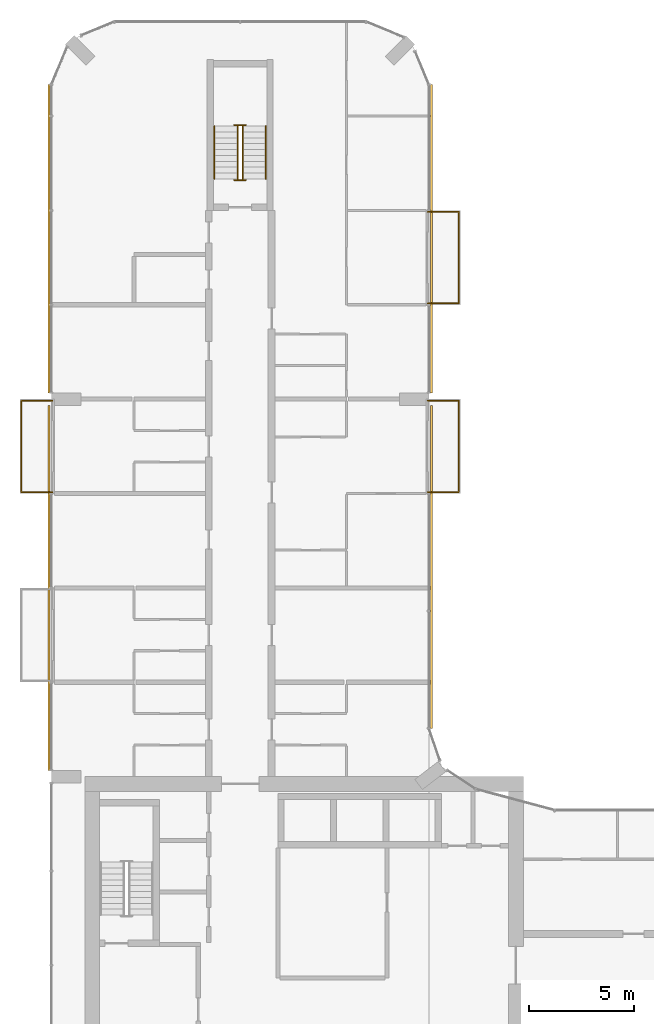
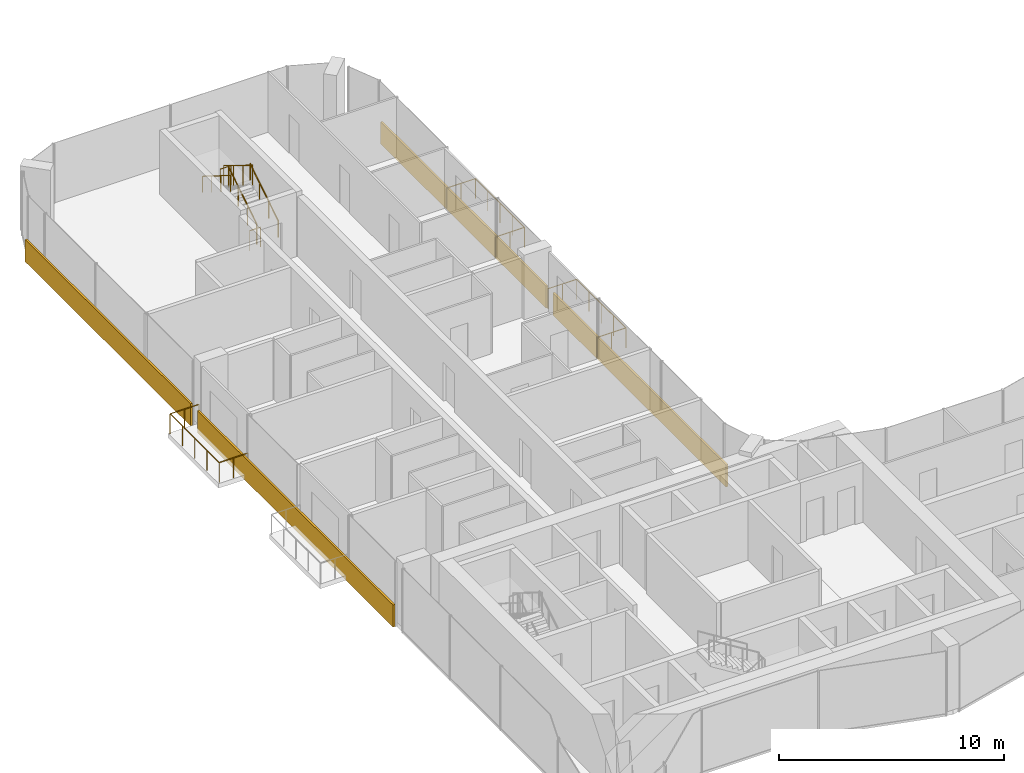
# One storey, part 22 of 23: 9 railings, 4 coverings.
"""IFC4 building model written with IfcOpenShell, lengths in metres."""

from ifc_helpers import new_model, si_unit, direction, frame, origin, origin_2d, place, context, subcontext, project, spatial, rectangle, circle, extrude, material, layer, layer_set, type_object, element, save


model = new_model("IFC4")

# Units and contexts
model_context = context("Model", 3, precision=1e-05, world=origin(), true_north=direction((0.0, 1.0)))
body_context = subcontext(model_context, "Body", "Model", "MODEL_VIEW")
ifc_project = project(units=[si_unit("LENGTHUNIT", "METRE"), si_unit("AREAUNIT", "SQUARE_METRE"), si_unit("VOLUMEUNIT", "CUBIC_METRE"), si_unit("PLANEANGLEUNIT", "RADIAN"), si_unit("MASSUNIT", "GRAM", prefix="KILO")], contexts=[model_context])

# Site, building, storey
site_placement = place(None, origin())
site = spatial("IfcSite", under=ifc_project, at=site_placement, CompositionType="ELEMENT")
building_placement = place(site_placement, origin())
building = spatial("IfcBuilding", under=site, at=building_placement, Name="Plateau Cross Towers", CompositionType="ELEMENT")
storey_placement = place(building_placement, frame((0.0, 0.0, 88.800048828125)))
storey = spatial("IfcBuildingStorey", under=building, at=storey_placement, Name="L22", CompositionType="ELEMENT", Elevation=88.800048828125)

# Railings
ifc_material_1 = material(Name="Stainless steel and toughened glass", Category="steel")
railing_type_1 = type_object("IfcRailingType", Name="Glass balustrade guard 1100", PredefinedType="GUARDRAIL", material=ifc_material_1)
railing_1_placement = place(storey_placement, frame((0.050048828125, 31.570068359375, 0.0)))
element("IfcRailing", 1, at=railing_1_placement, inside=storey, type_object=railing_type_1, Name="Guard guard1", PredefinedType="GUARDRAIL", context=body_context, shape_type="SweptSolid", body=[
    extrude(circle(Radius=0.02392578125, at=origin_2d()), frame((0.0, 0.0, 1.076171875), z_axis=(-1.0, 0.0, 0.0), x_axis=(0.0, -1.0, 0.0)), (0.0, 0.0, 1.0), 1.47998046875),
    extrude(circle(Radius=0.02392578125, at=origin_2d()), frame((-1.47998046875, 0.0, 1.076171875), z_axis=(0.0, 1.0, 0.0), x_axis=(-1.0, 0.0, 0.0)), (0.0, 0.0, 1.0), 4.35986328125),
    extrude(circle(Radius=0.02392578125, at=origin_2d()), frame((-1.47998046875, 4.35986328125, 1.076171875), z_axis=(1.0, 0.0, 0.0), x_axis=(0.0, 1.0, 0.0)), (0.0, 0.0, 1.0), 1.47998046875),
    extrude(circle(Radius=0.02099609375, at=origin_2d()), origin(), (0.0, 0.0, 1.0), 1.052001953125),
    extrude(circle(Radius=0.02099609375, at=origin_2d()), frame((-0.739990234375, 0.0, 0.0)), (0.0, 0.0, 1.0), 1.052001953125),
    extrude(circle(Radius=0.02099609375, at=origin_2d()), frame((-1.47998046875, 0.0, 0.0)), (0.0, 0.0, 1.0), 1.052001953125),
    extrude(circle(Radius=0.02099609375, at=origin_2d()), frame((-1.47998046875, 1.08984375, 0.0)), (0.0, 0.0, 1.0), 1.052001953125),
    extrude(circle(Radius=0.02099609375, at=origin_2d()), frame((-1.47998046875, 2.179931640625, 0.0)), (0.0, 0.0, 1.0), 1.052001953125),
    extrude(circle(Radius=0.02099609375, at=origin_2d()), frame((-1.47998046875, 3.27001953125, 0.0)), (0.0, 0.0, 1.0), 1.052001953125),
    extrude(circle(Radius=0.02099609375, at=origin_2d()), frame((-1.47998046875, 4.35986328125, 0.0)), (0.0, 0.0, 1.0), 1.052001953125),
    extrude(circle(Radius=0.02099609375, at=origin_2d()), frame((-0.739990234375, 4.35986328125, 0.0)), (0.0, 0.0, 1.0), 1.052001953125),
    extrude(circle(Radius=0.02099609375, at=origin_2d()), frame((0.0, 4.35986328125, 0.0)), (0.0, 0.0, 1.0), 1.052001953125),
])
for number, where, name in (
    (2, (17.949951171875, 35.929931640625, 0.0), "Guard guard1"),
    (3, (17.949951171875, 44.929931640625, 0.0), "Guard guard1"),
):
    element("IfcRailing", number, at=place(storey_placement, frame(where)), inside=storey, type_object=railing_type_1, Name=name, PredefinedType="GUARDRAIL", context=body_context, shape_type="SweptSolid", body=[
        extrude(circle(Radius=0.02392578125, at=origin_2d()), frame((0.0, 0.0, 1.076171875), z_axis=(1.0, 0.0, 0.0), x_axis=(0.0, 1.0, 0.0)), (0.0, 0.0, 1.0), 1.47998046875),
        extrude(circle(Radius=0.02392578125, at=origin_2d()), frame((1.47998046875, 0.0, 1.076171875), z_axis=(0.0, -1.0, 0.0), x_axis=(1.0, 0.0, 0.0)), (0.0, 0.0, 1.0), 4.35986328125),
        extrude(circle(Radius=0.02392578125, at=origin_2d()), frame((1.47998046875, -4.35986328125, 1.076171875), z_axis=(-1.0, 0.0, 0.0), x_axis=(0.0, -1.0, 0.0)), (0.0, 0.0, 1.0), 1.47998046875),
        extrude(circle(Radius=0.02099609375, at=origin_2d()), origin(), (0.0, 0.0, 1.0), 1.052001953125),
        extrude(circle(Radius=0.02099609375, at=origin_2d()), frame((0.739990234375, 0.0, 0.0)), (0.0, 0.0, 1.0), 1.052001953125),
        extrude(circle(Radius=0.02099609375, at=origin_2d()), frame((1.47998046875, 0.0, 0.0)), (0.0, 0.0, 1.0), 1.052001953125),
        extrude(circle(Radius=0.02099609375, at=origin_2d()), frame((1.47998046875, -1.08984375, 0.0)), (0.0, 0.0, 1.0), 1.052001953125),
        extrude(circle(Radius=0.02099609375, at=origin_2d()), frame((1.47998046875, -2.179931640625, 0.0)), (0.0, 0.0, 1.0), 1.052001953125),
        extrude(circle(Radius=0.02099609375, at=origin_2d()), frame((1.47998046875, -3.27001953125, 0.0)), (0.0, 0.0, 1.0), 1.052001953125),
        extrude(circle(Radius=0.02099609375, at=origin_2d()), frame((1.47998046875, -4.35986328125, 0.0)), (0.0, 0.0, 1.0), 1.052001953125),
        extrude(circle(Radius=0.02099609375, at=origin_2d()), frame((0.739990234375, -4.35986328125, 0.0)), (0.0, 0.0, 1.0), 1.052001953125),
        extrude(circle(Radius=0.02099609375, at=origin_2d()), frame((0.0, -4.35986328125, 0.0)), (0.0, 0.0, 1.0), 1.052001953125),
    ])
railing_type_2 = type_object("IfcRailingType", Name="RL-GUARD-1100", PredefinedType="GUARDRAIL", material=ifc_material_1)
railing_2_placement = place(storey_placement, frame((9.125, 46.5, 0.175048828125)))
element("IfcRailing", 4, at=railing_2_placement, inside=storey, type_object=railing_type_2, Name="L22 ES-N stair guard 1", PredefinedType="GUARDRAIL", context=body_context, shape_type="SweptSolid", body=[
    extrude(circle(Radius=0.02392578125, at=origin_2d()), frame((0.0, 0.0, 1.076171875), z_axis=(0.0, 0.848007534815, 0.529984170421), x_axis=(-1.0, 0.0, 0.0)), (0.0, 0.0, 1.0), 2.9716796875),
    extrude(circle(Radius=0.02099609375, at=origin_2d()), origin(), (0.0, 0.0, 1.0), 1.052001953125),
    extrude(circle(Radius=0.02099609375, at=origin_2d()), frame((0.0, 0.840087890625, 0.52490234375)), (0.0, 0.0, 1.0), 1.052001953125),
    extrude(circle(Radius=0.02099609375, at=origin_2d()), frame((0.0, 1.679931640625, 1.050048828125)), (0.0, 0.0, 1.0), 1.052001953125),
    extrude(circle(Radius=0.02099609375, at=origin_2d()), frame((0.0, 2.52001953125, 1.574951171875)), (0.0, 0.0, 1.0), 1.052001953125),
])
railing_3_placement = place(storey_placement, frame((9.27490234375, 49.070068359375, 1.75)))
element("IfcRailing", 5, at=railing_3_placement, inside=storey, type_object=railing_type_2, Name="L22 ES-N stair guard 2", PredefinedType="GUARDRAIL", context=body_context, shape_type="SweptSolid", body=[
    extrude(circle(Radius=0.02392578125, at=origin_2d()), frame((0.0, 0.0, 1.076171875), z_axis=(-1.0, 0.0, 0.0), x_axis=(0.0, -1.0, 0.0)), (0.0, 0.0, 1.0), 0.5498046875),
    extrude(circle(Radius=0.02099609375, at=origin_2d()), origin(), (0.0, 0.0, 1.0), 1.052001953125),
    extrude(circle(Radius=0.02099609375, at=origin_2d()), frame((-0.5498046875, 0.0, 0.0)), (0.0, 0.0, 1.0), 1.052001953125),
])
railing_4_placement = place(storey_placement, frame((8.875, 49.02001953125, 1.925048828125)))
element("IfcRailing", 6, at=railing_4_placement, inside=storey, type_object=railing_type_2, Name="L22 ES-N stair guard 3", PredefinedType="GUARDRAIL", context=body_context, shape_type="SweptSolid", body=[
    extrude(circle(Radius=0.02392578125, at=origin_2d()), frame((0.0, 0.0, 1.076171875), z_axis=(0.0, -0.852638500773, 0.522501279423), x_axis=(1.0, 0.0, 0.0)), (0.0, 0.0, 1.0), 3.01416015625),
    extrude(circle(Radius=0.02099609375, at=origin_2d()), origin(), (0.0, 0.0, 1.0), 1.052001953125),
    extrude(circle(Radius=0.02099609375, at=origin_2d()), frame((0.0, -0.856689453125, 0.52490234375)), (0.0, 0.0, 1.0), 1.052001953125),
    extrude(circle(Radius=0.02099609375, at=origin_2d()), frame((0.0, -1.71337890625, 1.050048828125)), (0.0, 0.0, 1.0), 1.052001953125),
    extrude(circle(Radius=0.02099609375, at=origin_2d()), frame((0.0, -2.570068359375, 1.574951171875)), (0.0, 0.0, 1.0), 1.052001953125),
])
railing_5_placement = place(storey_placement, frame((9.27490234375, 46.449951171875, 0.0)))
element("IfcRailing", 7, at=railing_5_placement, inside=storey, type_object=railing_type_2, Name="L22 ES-N stair guard 4", PredefinedType="GUARDRAIL", context=body_context, shape_type="SweptSolid", body=[
    extrude(circle(Radius=0.02392578125, at=origin_2d()), frame((0.0, 0.0, 1.076171875), z_axis=(-1.0, 0.0, 0.0), x_axis=(0.0, -1.0, 0.0)), (0.0, 0.0, 1.0), 0.5498046875),
    extrude(circle(Radius=0.02099609375, at=origin_2d()), origin(), (0.0, 0.0, 1.0), 1.052001953125),
    extrude(circle(Radius=0.02099609375, at=origin_2d()), frame((-0.5498046875, 0.0, 0.0)), (0.0, 0.0, 1.0), 1.052001953125),
])
ifc_material_2 = material(Name="Black anodised aluminium", Category="aluminium")
railing_type_3 = type_object("IfcRailingType", Name="RL-HANDRAIL-900", PredefinedType="HANDRAIL", material=ifc_material_2)
railing_6_placement = place(storey_placement, frame((10.22509765625, 46.5, 0.175048828125)))
element("IfcRailing", 8, at=railing_6_placement, inside=storey, type_object=railing_type_3, Name="L22 ES-N stair handrail 1", PredefinedType="HANDRAIL", context=body_context, shape_type="SweptSolid", body=[
    extrude(circle(Radius=0.02392578125, at=origin_2d()), frame((0.0, 0.0, 0.8759765625), z_axis=(0.0, 0.848007534815, 0.529984170421), x_axis=(-1.0, 0.0, 0.0)), (0.0, 0.0, 1.0), 2.9716796875),
    extrude(circle(Radius=0.02099609375, at=origin_2d()), origin(), (0.0, 0.0, 1.0), 0.851806640625),
    extrude(circle(Radius=0.02099609375, at=origin_2d()), frame((0.0, 0.840087890625, 0.52490234375)), (0.0, 0.0, 1.0), 0.851806640625),
    extrude(circle(Radius=0.02099609375, at=origin_2d()), frame((0.0, 1.679931640625, 1.050048828125)), (0.0, 0.0, 1.0), 0.851806640625),
    extrude(circle(Radius=0.02099609375, at=origin_2d()), frame((0.0, 2.52001953125, 1.574951171875)), (0.0, 0.0, 1.0), 0.851806640625),
])
railing_7_placement = place(storey_placement, frame((7.77490234375, 49.02001953125, 1.925048828125)))
element("IfcRailing", 9, at=railing_7_placement, inside=storey, type_object=railing_type_3, Name="L22 ES-N stair handrail 2", PredefinedType="HANDRAIL", context=body_context, shape_type="SweptSolid", body=[
    extrude(circle(Radius=0.02392578125, at=origin_2d()), frame((0.0, 0.0, 0.8759765625), z_axis=(0.0, -0.848007534815, 0.529984170421), x_axis=(1.0, 0.0, 0.0)), (0.0, 0.0, 1.0), 2.9716796875),
    extrude(circle(Radius=0.02099609375, at=origin_2d()), origin(), (0.0, 0.0, 1.0), 0.851806640625),
    extrude(circle(Radius=0.02099609375, at=origin_2d()), frame((0.0, -0.840087890625, 0.52490234375)), (0.0, 0.0, 1.0), 0.851806640625),
    extrude(circle(Radius=0.02099609375, at=origin_2d()), frame((0.0, -1.679931640625, 1.050048828125)), (0.0, 0.0, 1.0), 0.851806640625),
    extrude(circle(Radius=0.02099609375, at=origin_2d()), frame((0.0, -2.52001953125, 1.574951171875)), (0.0, 0.0, 1.0), 0.851806640625),
])

# Coverings
ifc_material_3 = material(Name="Precast concrete cladding C40/50", Category="concrete")
ifc_layer = layer(ifc_material_3, 0.10009765625)
ifc_layer_set = layer_set([ifc_layer], Name="Precast concrete cladding C40/50")
covering_type = type_object("IfcCoveringType", Name="Spandrel band cladding 100x1200", PredefinedType="CLADDING", material=ifc_layer_set)
covering_1_placement = place(storey_placement, frame((18.1201171875, 28.001220703125, -0.25), z_axis=(0.0, 0.0, 1.0), x_axis=(0.0, 1.0, 0.0)))
element("IfcCovering", 10, at=covering_1_placement, inside=storey, type_object=covering_type, Name="Spandrel band", PredefinedType="CLADDING", context=body_context, shape_type="SweptSolid", body=[
    extrude(rectangle(XDim=15.397705078125, YDim=0.10009765625, at=origin_2d()), origin(), (0.0, 0.0, 1.0), 1.199951171875),
])
for number, where, z_axis, x_axis, name in (
    (11, (18.1201171875, 43.64990234375, -0.25), (0.0, 0.0, 1.0), (0.0, 1.0, 0.0), "Spandrel band"),
    (12, (-0.1201171875, 43.64990234375, -0.25), (0.0, 0.0, 1.0), (0.0, -1.0, 0.0), "Spandrel band"),
):
    element("IfcCovering", number, at=place(storey_placement, frame(where, z_axis=z_axis, x_axis=x_axis)), inside=storey, type_object=covering_type, Name=name, PredefinedType="CLADDING", context=body_context, shape_type="SweptSolid", body=[
        extrude(rectangle(XDim=14.699951171875, YDim=0.10009765625, at=origin_2d()), origin(), (0.0, 0.0, 1.0), 1.199951171875),
    ])
covering_2_placement = place(storey_placement, frame((-0.1201171875, 27.0, -0.25), z_axis=(0.0, 0.0, 1.0), x_axis=(0.0, -1.0, 0.0)))
element("IfcCovering", 13, at=covering_2_placement, inside=storey, type_object=covering_type, Name="Spandrel band", PredefinedType="CLADDING", context=body_context, shape_type="SweptSolid", body=[
    extrude(rectangle(XDim=17.39990234375, YDim=0.10009765625, at=origin_2d()), origin(), (0.0, 0.0, 1.0), 1.199951171875),
])

save(model, "model.ifc")
